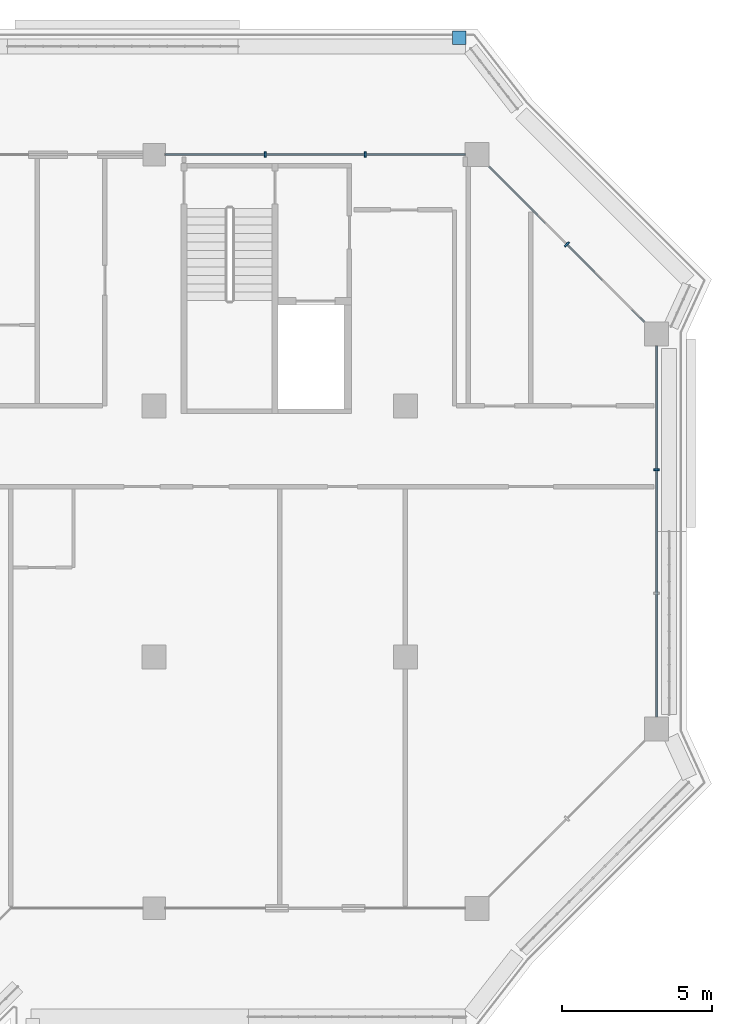
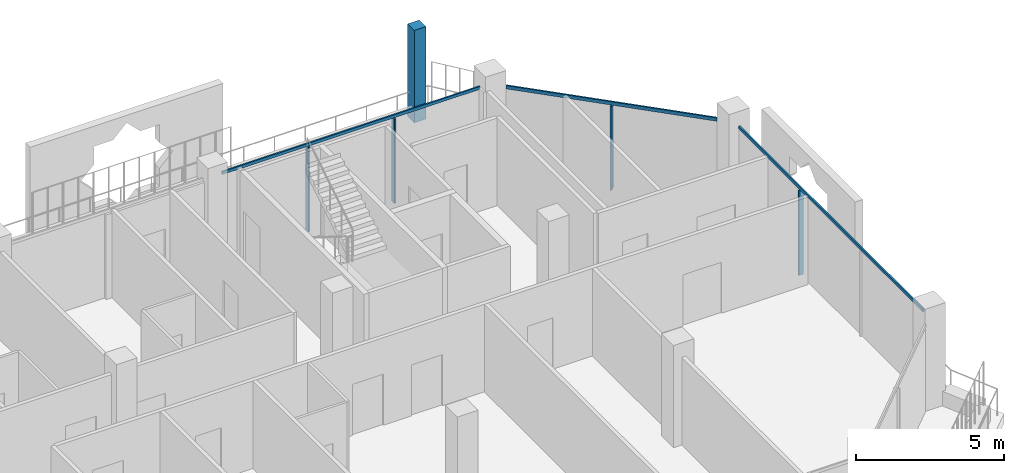
# One storey, part 8 of 21: 8 members, 4 elements without a shape of their own.
"""IFC4 building model written with IfcOpenShell, lengths in metres."""

import ifcopenshell
import ifcopenshell.guid

model = None  # the IFC model being written
_history = None  # IfcOwnerHistory: only IFC2X3 demands one
_inside = {}  # id of a spatial element -> (the spatial element, [elements in it])
_under = {}  # id of a project, library or spatial element -> (it, [spatial elements below it])
_declared = {}  # id of a project -> (the project, [libraries it declares])
_typed = {}  # id of a type object -> (the type object, [elements of that type])
_made_of = {}  # id of a material, layer set ... -> (it, [elements and type objects made of it])


def new_model(schema):
    """Start an empty IFC model of exactly this schema.

    Asked for "IFC4X3", IfcOpenShell would pick the latest addendum, in which some entities
    have other attributes; the version numbers below select the first issue.
    IFC2X3 requires an IfcOwnerHistory on every rooted entity: one is made here for all.
    """
    global model, _history
    if schema == "IFC4X3":
        model = ifcopenshell.file(schema_version=(4, 3, 0, 0))
    else:
        model = ifcopenshell.file(schema=schema)
    _inside.clear()
    _under.clear()
    _declared.clear()
    _typed.clear()
    _made_of.clear()
    _history = None
    if model.schema == "IFC2X3":
        org = make("IfcOrganization", Name="unknown")
        user = make(
            "IfcPersonAndOrganization",
            ThePerson=make("IfcPerson", FamilyName="unknown"),
            TheOrganization=org,
        )
        app = make(
            "IfcApplication",
            ApplicationDeveloper=org,
            Version="unknown",
            ApplicationFullName="unknown",
            ApplicationIdentifier="unknown",
        )
        _history = make(
            "IfcOwnerHistory",
            OwningUser=user,
            OwningApplication=app,
            ChangeAction="ADDED",
            CreationDate=0,
        )
    return model


def make(cls, **values):
    """One entity of the class cls with the attributes given. An attribute that is None is left unset."""
    return model.create_entity(
        cls, **{name: value for name, value in values.items() if value is not None}
    )


def rooted(cls, **values):
    """An entity with a GlobalId (a new one), such as an element, a storey or a relation."""
    return make(cls, GlobalId=ifcopenshell.guid.new(), OwnerHistory=_history, **values)


def si_unit(unit_type, name, prefix=None):
    """IfcSIUnit, for example si_unit("LENGTHUNIT", "METRE", prefix="MILLI")."""
    return make("IfcSIUnit", UnitType=unit_type, Prefix=prefix, Name=name)


def assignment(units):
    """IfcUnitAssignment: the units of a project."""
    return None if units is None else make("IfcUnitAssignment", Units=units)


def point(xyz):
    """IfcCartesianPoint."""
    return None if xyz is None else make("IfcCartesianPoint", Coordinates=xyz)


def direction(xyz):
    """IfcDirection."""
    return None if xyz is None else make("IfcDirection", DirectionRatios=xyz)


def frame(location, z_axis=None, x_axis=None):
    """IfcAxis2Placement3D, a coordinate frame: its origin and axes. An axis left out is left unset."""
    return make(
        "IfcAxis2Placement3D",
        Location=point(location),
        Axis=direction(z_axis),
        RefDirection=direction(x_axis),
    )


def frame_2d(location, x_axis=None):
    """IfcAxis2Placement2D, a coordinate frame in the plane: its origin and x axis."""
    return make(
        "IfcAxis2Placement2D", Location=point(location), RefDirection=direction(x_axis)
    )


def origin():
    """The frame at (0, 0, 0) with its axes left unset."""
    return frame((0.0, 0.0, 0.0))


def origin_2d():
    """The frame at (0, 0) in the plane with its x axis left unset."""
    return frame_2d((0.0, 0.0))


def place(relative_to, where):
    """IfcLocalPlacement: puts the frame where relative to a parent placement (None: the world)."""
    return make(
        "IfcLocalPlacement", PlacementRelTo=relative_to, RelativePlacement=where
    )


def context(
    kind, dimensions, precision=None, world=None, true_north=None, identifier=None
):
    """IfcGeometricRepresentationContext, for example the 3D "Model" context."""
    return make(
        "IfcGeometricRepresentationContext",
        ContextIdentifier=identifier,
        ContextType=kind,
        CoordinateSpaceDimension=dimensions,
        Precision=precision,
        WorldCoordinateSystem=world,
        TrueNorth=true_north,
    )


def subcontext(parent, identifier, kind, view, scale=None):
    """IfcGeometricRepresentationSubContext, for example "Body" below "Model"."""
    return make(
        "IfcGeometricRepresentationSubContext",
        ContextIdentifier=identifier,
        ContextType=kind,
        ParentContext=parent,
        TargetScale=scale,
        TargetView=view,
    )


def project(units=None, contexts=None):
    """IfcProject with its units and contexts."""
    return rooted(
        "IfcProject",
        Name="project",
        RepresentationContexts=contexts,
        UnitsInContext=assignment(units),
    )


def spatial(cls, under=None, at=None, **own):
    """A site, building, storey or space (cls), placed at a placement, below another one or the project."""
    s = rooted(cls, ObjectPlacement=at, **own)
    if under is not None:
        _under.setdefault(under.id(), (under, []))[1].append(s)
    return s


def profile(cls, at=None, kind="AREA", **sizes):
    """A parametric profile (cls). Its sizes go by their IFC names, for example OverallWidth=200.0."""
    return make(cls, ProfileType=kind, Position=at, **sizes)


def rectangle(**sizes):
    """IfcRectangleProfileDef."""
    return profile("IfcRectangleProfileDef", **sizes)


def extrude(swept, where, along, depth):
    """IfcExtrudedAreaSolid: the profile swept, set in the frame where, extruded along a direction by depth."""
    return make(
        "IfcExtrudedAreaSolid",
        SweptArea=swept,
        Position=where,
        ExtrudedDirection=direction(along),
        Depth=depth,
    )


def shape(context_of_items, identifier, shape_type, items):
    """IfcShapeRepresentation: the items that make up one representation, for example the "Body"."""
    return make(
        "IfcShapeRepresentation",
        ContextOfItems=context_of_items,
        RepresentationIdentifier=identifier,
        RepresentationType=shape_type,
        Items=items,
    )


def material(Name=None, Category=None):
    """IfcMaterial."""
    return make("IfcMaterial", Name=Name, Category=Category)


def layer(
    of_material, thickness, ventilated=None, Name=None, Category=None, Priority=None
):
    """IfcMaterialLayer: one layer of a wall or slab, of a material (None: an air gap)."""
    return make(
        "IfcMaterialLayer",
        Material=of_material,
        LayerThickness=thickness,
        IsVentilated=ventilated,
        Name=Name,
        Category=Category,
        Priority=Priority,
    )


def layer_set(layers, Name=None):
    """IfcMaterialLayerSet."""
    return make("IfcMaterialLayerSet", MaterialLayers=layers, LayerSetName=Name)


def material_profile(
    of_material, cross_section, Name=None, Category=None, Priority=None
):
    """IfcMaterialProfile: a cross section and its material."""
    return make(
        "IfcMaterialProfile",
        Name=Name,
        Material=of_material,
        Profile=cross_section,
        Priority=Priority,
        Category=Category,
    )


def profile_set(profiles, Name=None, composite=None):
    """IfcMaterialProfileSet."""
    return make(
        "IfcMaterialProfileSet",
        Name=Name,
        MaterialProfiles=profiles,
        CompositeProfile=composite,
    )


def made_of(thing, what):
    """Note that an element or type object is made of a material, layer set ...; save() writes the relation."""
    if what is not None:
        _made_of.setdefault(what.id(), (what, []))[1].append(thing)
    return thing


def type_object(cls, material=None, **own):
    """A type object (cls), such as IfcWallType, which elements share."""
    return made_of(rooted(cls, **own), material)


def element(
    cls,
    number,
    at=None,
    inside=None,
    cuts=None,
    type_object=None,
    material=None,
    context=None,
    identifier="Body",
    shape_type=None,
    held_by="IfcProductDefinitionShape",
    body=None,
    shapes=None,
    **own,
):
    """One element of the class cls, such as IfcWall. Its Tag is "e" and its number.

    at: its placement. inside: the storey or other place that contains it. cuts: it is an
    opening in that element (IfcRelVoidsElement). A single representation is given by context,
    identifier, shape_type and body (its items); several are given by shapes. held_by: the class
    of the entity that holds the representations. save() writes the other relations.
    """
    e = rooted(cls, Tag="e%d" % number, ObjectPlacement=at, **own)
    if body is not None:
        shapes = [shape(context, identifier, shape_type, body)]
    if shapes is not None:
        e.Representation = make(held_by, Representations=shapes)
    if inside is not None:
        _inside.setdefault(inside.id(), (inside, []))[1].append(e)
    if cuts is not None:
        rooted(
            "IfcRelVoidsElement", RelatingBuildingElement=cuts, RelatedOpeningElement=e
        )
    if type_object is not None:
        _typed.setdefault(type_object.id(), (type_object, []))[1].append(e)
    return made_of(e, material)


def aggregate(whole, parts):
    """IfcRelAggregates: a whole, such as a stair, and the parts it consists of."""
    return rooted("IfcRelAggregates", RelatingObject=whole, RelatedObjects=parts)


def save(model, path):
    """Write the relations noted so far, then the file.

    IfcRelAggregates (storeys below a building ...), IfcRelContainedInSpatialStructure (elements
    in a storey), IfcRelDefinesByType, IfcRelAssociatesMaterial and IfcRelDeclares: one each for
    every whole, place, type object, material and project.
    """
    for whole, parts in _under.values():
        aggregate(whole, parts)
    for where, things in _inside.values():
        rooted(
            "IfcRelContainedInSpatialStructure",
            RelatedElements=things,
            RelatingStructure=where,
        )
    for kind, things in _typed.values():
        rooted("IfcRelDefinesByType", RelatedObjects=things, RelatingType=kind)
    for what, things in _made_of.values():
        rooted("IfcRelAssociatesMaterial", RelatedObjects=things, RelatingMaterial=what)
    for by, libraries in _declared.values():
        rooted("IfcRelDeclares", RelatingContext=by, RelatedDefinitions=libraries)
    model.write(path)


model = new_model("IFC4")

# Units and contexts
model_context = context("Model", 3, precision=1e-05, world=origin(), true_north=direction((0.0, 1.0)))
body_context = subcontext(model_context, "Body", "Model", "MODEL_VIEW")
ifc_project = project(units=[si_unit("LENGTHUNIT", "METRE"), si_unit("AREAUNIT", "SQUARE_METRE"), si_unit("VOLUMEUNIT", "CUBIC_METRE"), si_unit("PLANEANGLEUNIT", "RADIAN"), si_unit("MASSUNIT", "GRAM", prefix="KILO")], contexts=[model_context])

# Site, building, storey
site_placement = place(None, origin())
site = spatial("IfcSite", under=ifc_project, at=site_placement, CompositionType="ELEMENT")
building_placement = place(site_placement, origin())
building = spatial("IfcBuilding", under=site, at=building_placement, Name="Kawkab Arch Medical Tower", CompositionType="ELEMENT")
storey_placement = place(building_placement, frame((0.0, 0.0, 307.0)))
storey = spatial("IfcBuildingStorey", under=building, at=storey_placement, Name="L71", CompositionType="ELEMENT", Elevation=307.0)

# Curtain wall, member
ifc_material_1 = material(Name="Bronze anodised aluminium curtain wall frame", Category="aluminium")
ifc_layer_1 = layer(ifc_material_1, 0.159912109375)
ifc_layer_set_1 = layer_set([ifc_layer_1], Name="Bronze anodised aluminium curtain wall frame")
curtain_wall_type_1 = type_object("IfcCurtainWallType", Name="CW1 ward curtain wall", PredefinedType="NOTDEFINED", material=ifc_layer_set_1)
placement = place(storey_placement, origin())
curtain_wall_1 = element("IfcCurtainWall", 1, at=placement, inside=storey, type_object=curtain_wall_type_1, Name="CW1 Ward curtain wall R13", PredefinedType="NOTDEFINED")
ifc_material_2 = material(Name="Bronze anodised aluminium curtain wall frame", Category="aluminium")
ifc_material_profile_1 = material_profile(ifc_material_2, rectangle(XDim=0.179931640625, YDim=0.06005859375, at=origin_2d()), Name="AL 60x180")
ifc_profile_set_1 = profile_set([ifc_material_profile_1], Name="Bronze anodised aluminium curtain wall frame")
member_type_1 = type_object("IfcMemberType", Name="CW1 mullion 60 x 180", PredefinedType="MULLION", material=ifc_profile_set_1)
member_1_placement = place(storey_placement, frame((58.800048828125, -10.533447265625, 0.0), z_axis=(0.0, 0.0, 1.0), x_axis=(-1.0, 0.0, 0.0)))
member_1 = element("IfcMember", 2, at=member_1_placement, type_object=member_type_1, Name="CW1 mullion 1.2", PredefinedType="MULLION", context=body_context, shape_type="SweptSolid", body=[
    extrude(rectangle(XDim=0.179931640625, YDim=0.06005859375, at=origin_2d()), origin(), (0.0, 0.0, 1.0), 3.47998046875),
])

# Curtain wall, members
curtain_wall_2 = element("IfcCurtainWall", 3, at=placement, inside=storey, type_object=curtain_wall_type_1, Name="CW1 Ward curtain wall R15", PredefinedType="NOTDEFINED")
member_2_placement = place(storey_placement, frame((49.058349609375, 0.0, 0.0), z_axis=(0.0, 0.0, 1.0), x_axis=(0.0, -1.0, 0.0)))
member_2 = element("IfcMember", 4, at=member_2_placement, type_object=member_type_1, Name="CW1 mullion 1.1", PredefinedType="MULLION", context=body_context, shape_type="SweptSolid", body=[
    extrude(rectangle(XDim=0.179931640625, YDim=0.06005859375, at=origin_2d()), origin(), (0.0, 0.0, 1.0), 3.47998046875),
])
member_3_placement = place(storey_placement, frame((45.716552734375, 0.0, 0.0), z_axis=(0.0, 0.0, 1.0), x_axis=(0.0, -1.0, 0.0)))
member_3 = element("IfcMember", 5, at=member_3_placement, type_object=member_type_1, Name="CW1 mullion 1.2", PredefinedType="MULLION", context=body_context, shape_type="SweptSolid", body=[
    extrude(rectangle(XDim=0.179931640625, YDim=0.06005859375, at=origin_2d()), origin(), (0.0, 0.0, 1.0), 3.47998046875),
])

# Member
ifc_material_3 = material(Name="Bronze anodised aluminium curtain wall frame", Category="aluminium")
ifc_material_profile_2 = material_profile(ifc_material_3, rectangle(XDim=0.06005859375, YDim=0.1201171875, at=origin_2d()), Name="AL 60x120")
ifc_profile_set_2 = profile_set([ifc_material_profile_2], Name="Bronze anodised aluminium curtain wall frame")
member_type_2 = type_object("IfcMemberType", Name="CW1 transom 120 x 60", PredefinedType="USERDEFINED", material=ifc_profile_set_2)
member_4_placement = place(storey_placement, frame((58.800048828125, -18.800048828125, 3.5400390625), z_axis=(0.0, 1.0, 0.0), x_axis=(-1.0, 0.0, 0.0)))
member_4 = element("IfcMember", 6, at=member_4_placement, type_object=member_type_2, Name="CW1 transom 1", ObjectType="TRANSOM", PredefinedType="USERDEFINED", context=body_context, shape_type="SweptSolid", body=[
    extrude(rectangle(XDim=0.06005859375, YDim=0.1201171875, at=origin_2d()), origin(), (0.0, 0.0, 1.0), 12.400146484375),
])

aggregate(curtain_wall_1, [member_4, member_1])

member_5_placement = place(storey_placement, frame((52.39990234375, 0.0, 3.5400390625), z_axis=(-1.0, 0.0, 0.0), x_axis=(0.0, -1.0, 0.0)))
member_5 = element("IfcMember", 7, at=member_5_placement, type_object=member_type_2, Name="CW1 transom 1", ObjectType="TRANSOM", PredefinedType="USERDEFINED", context=body_context, shape_type="SweptSolid", body=[
    extrude(rectangle(XDim=0.06005859375, YDim=0.1201171875, at=origin_2d()), origin(), (0.0, 0.0, 1.0), 10.02490234375),
])

aggregate(curtain_wall_2, [member_5, member_2, member_3])

# Curtain wall, members
ifc_material_4 = material(Name="Bronze anodised aluminium curtain wall frame", Category="aluminium")
ifc_layer_2 = layer(ifc_material_4, 0.159912109375)
ifc_layer_set_2 = layer_set([ifc_layer_2], Name="Bronze anodised aluminium curtain wall frame")
curtain_wall_type_2 = type_object("IfcCurtainWallType", Name="CW2 chamfer curtain wall", PredefinedType="NOTDEFINED", material=ifc_layer_set_2)
curtain_wall_3 = element("IfcCurtainWall", 8, at=placement, inside=storey, type_object=curtain_wall_type_2, Name="CW2 Chamfer curtain wall R14", PredefinedType="NOTDEFINED")
ifc_material_5 = material(Name="Bronze anodised aluminium curtain wall frame", Category="aluminium")
ifc_material_profile_3 = material_profile(ifc_material_5, rectangle(XDim=0.199951171875, YDim=0.06005859375, at=origin_2d()), Name="AL 60x200")
ifc_profile_set_3 = profile_set([ifc_material_profile_3], Name="Bronze anodised aluminium curtain wall frame")
member_type_3 = type_object("IfcMemberType", Name="CW2 mullion 60 x 200", PredefinedType="MULLION", material=ifc_profile_set_3)
member_6_placement = place(storey_placement, frame((55.800048828125, -3.0, 0.0), z_axis=(0.0, 0.0, 1.0), x_axis=(-0.707106781187, -0.707106781187, 0.0)))
member_6 = element("IfcMember", 9, at=member_6_placement, type_object=member_type_3, Name="CW2 mullion 1.1", PredefinedType="MULLION", context=body_context, shape_type="SweptSolid", body=[
    extrude(rectangle(XDim=0.199951171875, YDim=0.06005859375, at=origin_2d()), origin(), (0.0, 0.0, 1.0), 3.4599609375),
])
ifc_material_6 = material(Name="Bronze anodised aluminium curtain wall frame", Category="aluminium")
ifc_material_profile_4 = material_profile(ifc_material_6, rectangle(XDim=0.06005859375, YDim=0.139892578125, at=origin_2d()), Name="AL 60x140")
ifc_profile_set_4 = profile_set([ifc_material_profile_4], Name="Bronze anodised aluminium curtain wall frame")
member_type_4 = type_object("IfcMemberType", Name="CW2 transom 140 x 60", PredefinedType="USERDEFINED", material=ifc_profile_set_4)
member_7_placement = place(storey_placement, frame((58.39990234375, -5.60009765625, 3.530029296875), z_axis=(-0.707090181851, 0.707123380132, 0.0), x_axis=(-0.707123380132, -0.707090181851, 0.0)))
member_7 = element("IfcMember", 10, at=member_7_placement, type_object=member_type_4, Name="CW2 transom 1", ObjectType="TRANSOM", PredefinedType="USERDEFINED", context=body_context, shape_type="SweptSolid", body=[
    extrude(rectangle(XDim=0.06005859375, YDim=0.139892578125, at=origin_2d()), origin(), (0.0, 0.0, 1.0), 7.35400390625),
])
aggregate(curtain_wall_3, [member_7, member_6])

# Curtain wall, member
ifc_material_7 = material(Name="Bronze anodised aluminium climber frame, planted", Category="aluminium")
ifc_layer_3 = layer(ifc_material_7, 0.449951171875)
ifc_layer_set_3 = layer_set([ifc_layer_3], Name="Bronze anodised aluminium climber frame, planted")
curtain_wall_type_3 = type_object("IfcCurtainWallType", Name="Planted climber frame", PredefinedType="NOTDEFINED", material=ifc_layer_set_3)
curtain_wall_4 = element("IfcCurtainWall", 11, at=placement, inside=storey, type_object=curtain_wall_type_3, Name="Planted climber frame L71", PredefinedType="NOTDEFINED")
ifc_material_8 = material(Name="Bronze anodised aluminium climber frame, planted", Category="aluminium")
ifc_material_profile_5 = material_profile(ifc_material_8, rectangle(XDim=0.449951171875, YDim=0.449951171875, at=origin_2d()), Name="Post 450x450")
ifc_profile_set_5 = profile_set([ifc_material_profile_5], Name="Bronze anodised aluminium climber frame, planted")
member_type_5 = type_object("IfcMemberType", Name="Planted climber post 450 x 450", PredefinedType="MULLION", material=ifc_profile_set_5)
member_8_placement = place(storey_placement, frame((52.202880859375, 3.89990234375, 0.0), z_axis=(0.0, 0.0, 1.0), x_axis=(1.0, 0.0, 0.0)))
member_8 = element("IfcMember", 12, at=member_8_placement, type_object=member_type_5, Name="Planted climber post L71.LOG-01-01.4", PredefinedType="MULLION", context=body_context, shape_type="SweptSolid", body=[
    extrude(rectangle(XDim=0.449951171875, YDim=0.449951171875, at=origin_2d()), origin(), (0.0, 0.0, 1.0), 3.800048828125),
])
aggregate(curtain_wall_4, [member_8])

save(model, "model.ifc")
